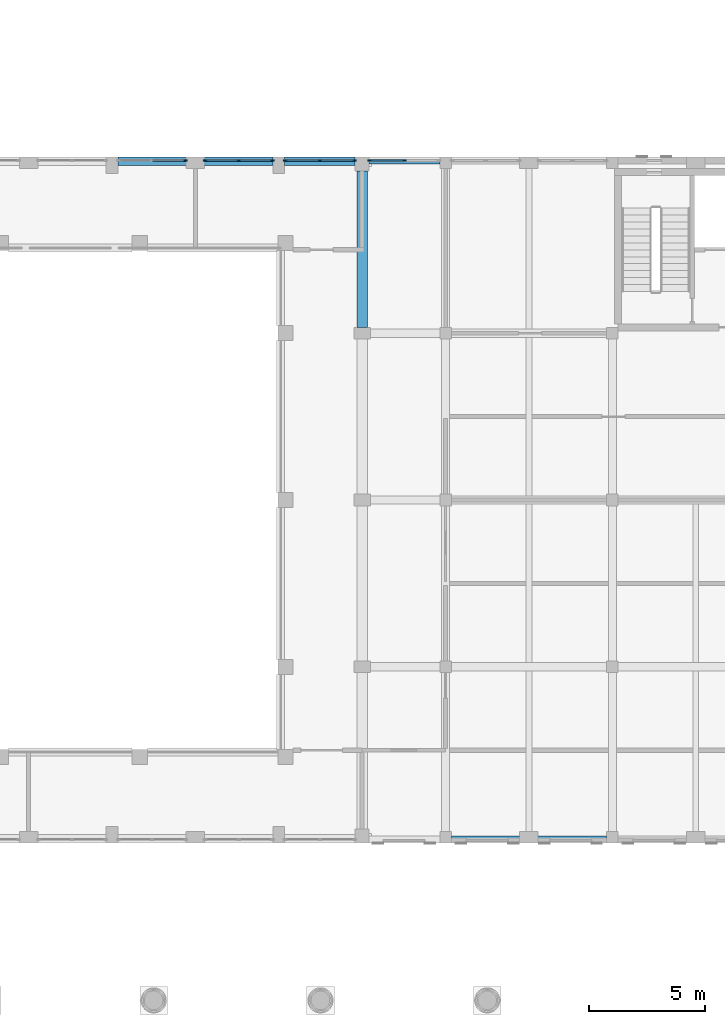
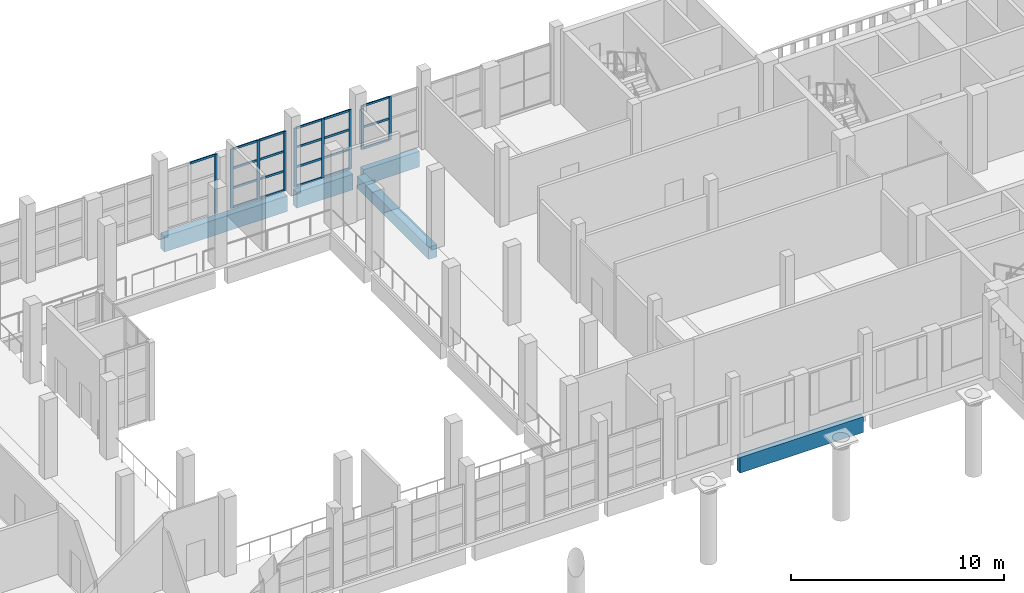
# One storey, part 9 of 59: 29 members, 5 beams, 4 elements without a shape of their own.
"""IFC4 building model written with IfcOpenShell, lengths in metres."""

from ifc_helpers import new_model, si_unit, direction, frame, origin, origin_2d, place, context, subcontext, project, spatial, rectangle, extrude, material, layer, layer_set, material_profile, profile_set, type_object, element, aggregate, save


model = new_model("IFC4")

# Units and contexts
model_context = context("Model", 3, precision=1e-05, world=origin(), true_north=direction((0.0, 1.0)))
body_context = subcontext(model_context, "Body", "Model", "MODEL_VIEW")
ifc_project = project(units=[si_unit("LENGTHUNIT", "METRE"), si_unit("AREAUNIT", "SQUARE_METRE"), si_unit("VOLUMEUNIT", "CUBIC_METRE"), si_unit("PLANEANGLEUNIT", "RADIAN"), si_unit("MASSUNIT", "GRAM", prefix="KILO")], contexts=[model_context])

# Site, building, storey
site_placement = place(None, origin())
site = spatial("IfcSite", under=ifc_project, at=site_placement, CompositionType="ELEMENT")
building_placement = place(site_placement, origin())
building = spatial("IfcBuilding", under=site, at=building_placement, Name="Ussher Court Research Institute", CompositionType="ELEMENT")
storey_placement = place(building_placement, frame((0.0, 0.0, 5.39990234375)))
storey = spatial("IfcBuildingStorey", under=building, at=storey_placement, Name="L01", CompositionType="ELEMENT", Elevation=5.39990234375)

# Curtain wall, member
ifc_material_1 = material(Name="Bronze anodised aluminium with low-e glass", Category="aluminium")
ifc_layer_1 = layer(ifc_material_1, 0.1201171875)
ifc_layer_set_1 = layer_set([ifc_layer_1], Name="Bronze anodised aluminium with low-e glass")
curtain_wall_type_1 = type_object("IfcCurtainWallType", Name="Curtain wall atrium clear glazing", PredefinedType="NOTDEFINED", material=ifc_layer_set_1)
curtain_wall_1_placement = place(storey_placement, origin())
curtain_wall_1 = element("IfcCurtainWall", 1, at=curtain_wall_1_placement, inside=storey, type_object=curtain_wall_type_1, Name="Curtain wall CW2 L01", PredefinedType="NOTDEFINED")
ifc_material_2 = material(Name="Bronze anodised aluminium", Category="aluminium")
ifc_material_profile_1 = material_profile(ifc_material_2, rectangle(XDim=0.06005859375, YDim=0.159912109375, at=origin_2d()), Name="Mullion 60x160")
ifc_profile_set_1 = profile_set([ifc_material_profile_1], Name="Bronze anodised aluminium")
member_type_1 = type_object("IfcMemberType", Name="Mullion 60x160", PredefinedType="MULLION", material=ifc_profile_set_1)
member_1_placement = place(storey_placement, frame((56.570068359375, 40.25, 0.0), z_axis=(0.0, 0.0, 1.0), x_axis=(0.0, 1.0, 0.0)))
member_1 = element("IfcMember", 2, at=member_1_placement, type_object=member_type_1, Name="CW2 mullion 3", PredefinedType="MULLION", context=body_context, shape_type="SweptSolid", body=[
    extrude(rectangle(XDim=0.06005859375, YDim=0.159912109375, at=origin_2d()), origin(), (0.0, 0.0, 1.0), 3.400146484375),
])

# Curtain wall, members
curtain_wall_2_placement = place(storey_placement, origin())
curtain_wall_2 = element("IfcCurtainWall", 3, at=curtain_wall_2_placement, inside=storey, type_object=curtain_wall_type_1, Name="Curtain wall CW2 L01", PredefinedType="NOTDEFINED")
member_2_placement = place(storey_placement, frame((57.429931640625, 40.25, 0.0), z_axis=(0.0, 0.0, 1.0), x_axis=(0.0, 1.0, 0.0)))
member_2 = element("IfcMember", 4, at=member_2_placement, type_object=member_type_1, Name="CW2 mullion 1", PredefinedType="MULLION", context=body_context, shape_type="SweptSolid", body=[
    extrude(rectangle(XDim=0.06005859375, YDim=0.159912109375, at=origin_2d()), origin(), (0.0, 0.0, 1.0), 3.400146484375),
])
member_3_placement = place(storey_placement, frame((58.875, 40.25, 0.0), z_axis=(0.0, 0.0, 1.0), x_axis=(0.0, 1.0, 0.0)))
member_3 = element("IfcMember", 5, at=member_3_placement, type_object=member_type_1, Name="CW2 mullion 2", PredefinedType="MULLION", context=body_context, shape_type="SweptSolid", body=[
    extrude(rectangle(XDim=0.06005859375, YDim=0.159912109375, at=origin_2d()), origin(), (0.0, 0.0, 1.0), 3.400146484375),
])
member_4_placement = place(storey_placement, frame((60.320068359375, 40.25, 0.0), z_axis=(0.0, 0.0, 1.0), x_axis=(0.0, 1.0, 0.0)))
member_4 = element("IfcMember", 6, at=member_4_placement, type_object=member_type_1, Name="CW2 mullion 3", PredefinedType="MULLION", context=body_context, shape_type="SweptSolid", body=[
    extrude(rectangle(XDim=0.06005859375, YDim=0.159912109375, at=origin_2d()), origin(), (0.0, 0.0, 1.0), 3.400146484375),
])

curtain_wall_3_placement = place(storey_placement, origin())
curtain_wall_3 = element("IfcCurtainWall", 7, at=curtain_wall_3_placement, inside=storey, type_object=curtain_wall_type_1, Name="Curtain wall CW2 L01", PredefinedType="NOTDEFINED")
member_5_placement = place(storey_placement, frame((60.8798828125, 40.25, 0.0), z_axis=(0.0, 0.0, 1.0), x_axis=(0.0, 1.0, 0.0)))
member_5 = element("IfcMember", 8, at=member_5_placement, type_object=member_type_1, Name="CW2 mullion 1", PredefinedType="MULLION", context=body_context, shape_type="SweptSolid", body=[
    extrude(rectangle(XDim=0.06005859375, YDim=0.159912109375, at=origin_2d()), origin(), (0.0, 0.0, 1.0), 3.400146484375),
])
member_6_placement = place(storey_placement, frame((62.375, 40.25, 0.0), z_axis=(0.0, 0.0, 1.0), x_axis=(0.0, 1.0, 0.0)))
member_6 = element("IfcMember", 9, at=member_6_placement, type_object=member_type_1, Name="CW2 mullion 2", PredefinedType="MULLION", context=body_context, shape_type="SweptSolid", body=[
    extrude(rectangle(XDim=0.06005859375, YDim=0.159912109375, at=origin_2d()), origin(), (0.0, 0.0, 1.0), 3.400146484375),
])
member_7_placement = place(storey_placement, frame((63.8701171875, 40.25, 0.0), z_axis=(0.0, 0.0, 1.0), x_axis=(0.0, 1.0, 0.0)))
member_7 = element("IfcMember", 10, at=member_7_placement, type_object=member_type_1, Name="CW2 mullion 3", PredefinedType="MULLION", context=body_context, shape_type="SweptSolid", body=[
    extrude(rectangle(XDim=0.06005859375, YDim=0.159912109375, at=origin_2d()), origin(), (0.0, 0.0, 1.0), 3.400146484375),
])

ifc_material_3 = material(Name="Bronze anodised aluminium with insulated low-e glass", Category="aluminium")
ifc_layer_2 = layer(ifc_material_3, 0.1201171875)
ifc_layer_set_2 = layer_set([ifc_layer_2], Name="Bronze anodised aluminium with insulated low-e glass")
curtain_wall_type_2 = type_object("IfcCurtainWallType", Name="Curtain wall reading link court front", PredefinedType="NOTDEFINED", material=ifc_layer_set_2)
curtain_wall_4_placement = place(storey_placement, origin())
curtain_wall_4 = element("IfcCurtainWall", 11, at=curtain_wall_4_placement, inside=storey, type_object=curtain_wall_type_2, Name="Curtain wall CW7 L01", PredefinedType="NOTDEFINED")
member_8_placement = place(storey_placement, frame((64.530029296875, 40.25, 0.900146484375), z_axis=(0.0, 0.0, 1.0), x_axis=(0.0, 1.0, 0.0)))
member_8 = element("IfcMember", 12, at=member_8_placement, type_object=member_type_1, Name="CW7 mullion 1", PredefinedType="MULLION", context=body_context, shape_type="SweptSolid", body=[
    extrude(rectangle(XDim=0.06005859375, YDim=0.159912109375, at=origin_2d()), origin(), (0.0, 0.0, 1.0), 2.5),
])
member_9_placement = place(storey_placement, frame((66.02490234375, 40.25, 0.900146484375), z_axis=(0.0, 0.0, 1.0), x_axis=(0.0, 1.0, 0.0)))
member_9 = element("IfcMember", 13, at=member_9_placement, type_object=member_type_1, Name="CW7 mullion 2", PredefinedType="MULLION", context=body_context, shape_type="SweptSolid", body=[
    extrude(rectangle(XDim=0.06005859375, YDim=0.159912109375, at=origin_2d()), origin(), (0.0, 0.0, 1.0), 2.5),
])

# Beams
ifc_material_4 = material(Name="Concrete C35/45", Category="concrete")
ifc_material_profile_2 = material_profile(ifc_material_4, rectangle(XDim=0.300048828125, YDim=0.89990234375, at=origin_2d()), Name="RC 300x900")
ifc_profile_set_2 = profile_set([ifc_material_profile_2], Name="Concrete C35/45")
beam_type_1 = type_object("IfcBeamType", Name="RC 300x900 beam", PredefinedType="BEAM", material=ifc_profile_set_2)
beam_1_placement = place(storey_placement, frame((68.050048828125, 10.949951171875, -0.64990234375), z_axis=(1.0, 0.0, 0.0), x_axis=(0.0, 1.0, 0.0)))
element("IfcBeam", 14, at=beam_1_placement, inside=storey, type_object=beam_type_1, Name="SB2 V7 L01-04", PredefinedType="BEAM", context=body_context, shape_type="SweptSolid", body=[
    extrude(rectangle(XDim=0.300048828125, YDim=0.89990234375, at=origin_2d()), origin(), (0.0, 0.0, 1.0), 6.699951171875),
])
beam_2_placement = place(storey_placement, frame((64.5, 40.25, -0.64990234375), z_axis=(1.0, 0.0, 0.0), x_axis=(0.0, 1.0, 0.0)))
element("IfcBeam", 15, at=beam_2_placement, inside=storey, type_object=beam_type_1, Name="SB2 V7 L01-08", PredefinedType="BEAM", context=body_context, shape_type="SweptSolid", body=[
    extrude(rectangle(XDim=0.300048828125, YDim=0.89990234375, at=origin_2d()), origin(), (0.0, 0.0, 1.0), 3.050048828125),
])
ifc_material_5 = material(Name="Concrete C35/45", Category="concrete")
ifc_material_profile_3 = material_profile(ifc_material_5, rectangle(XDim=0.35009765625, YDim=0.89990234375, at=origin_2d()), Name="RC 350x900")
ifc_profile_set_3 = profile_set([ifc_material_profile_3], Name="Concrete C35/45")
beam_type_2 = type_object("IfcBeamType", Name="RC 350x900 beam", PredefinedType="BEAM", material=ifc_profile_set_3)
beam_3_placement = place(storey_placement, frame((53.64990234375, 40.22509765625, -0.64990234375), z_axis=(1.0, 0.0, 0.0), x_axis=(0.0, 1.0, 0.0)))
element("IfcBeam", 16, at=beam_3_placement, inside=storey, type_object=beam_type_2, Name="SB1 V2 L01-07", PredefinedType="BEAM", context=body_context, shape_type="SweptSolid", body=[
    extrude(rectangle(XDim=0.35009765625, YDim=0.89990234375, at=origin_2d()), origin(), (0.0, 0.0, 1.0), 6.7001953125),
])
beam_4_placement = place(storey_placement, frame((60.85009765625, 40.22509765625, -0.64990234375), z_axis=(1.0, 0.0, 0.0), x_axis=(0.0, 1.0, 0.0)))
element("IfcBeam", 17, at=beam_4_placement, inside=storey, type_object=beam_type_2, Name="SB1 V2 L01-08", PredefinedType="BEAM", context=body_context, shape_type="SweptSolid", body=[
    extrude(rectangle(XDim=0.35009765625, YDim=0.89990234375, at=origin_2d()), origin(), (0.0, 0.0, 1.0), 3.0498046875),
])
ifc_material_6 = material(Name="Concrete C35/45", Category="concrete")
ifc_material_profile_4 = material_profile(ifc_material_6, rectangle(XDim=0.449951171875, YDim=0.699951171875, at=origin_2d()), Name="RC 450x700")
ifc_profile_set_4 = profile_set([ifc_material_profile_4], Name="Concrete C35/45")
beam_type_3 = type_object("IfcBeamType", Name="RC 450x700 beam", PredefinedType="BEAM", material=ifc_profile_set_4)
beam_5_placement = place(storey_placement, frame((64.199951171875, 33.050048828125, -0.5498046875), z_axis=(0.0, 1.0, 0.0), x_axis=(-1.0, 0.0, 0.0)))
element("IfcBeam", 18, at=beam_5_placement, inside=storey, type_object=beam_type_3, Name="B10 V2 L01-08", PredefinedType="BEAM", context=body_context, shape_type="SweptSolid", body=[
    extrude(rectangle(XDim=0.449951171875, YDim=0.699951171875, at=origin_2d()), origin(), (0.0, 0.0, 1.0), 6.75),
])

# Member
ifc_material_7 = material(Name="Bronze anodised aluminium", Category="aluminium")
ifc_material_profile_5 = material_profile(ifc_material_7, rectangle(XDim=0.06005859375, YDim=0.1201171875, at=origin_2d()), Name="Transom 60x120")
ifc_profile_set_5 = profile_set([ifc_material_profile_5], Name="Bronze anodised aluminium")
member_type_2 = type_object("IfcMemberType", Name="Transom 60x120", PredefinedType="USERDEFINED", material=ifc_profile_set_5)
member_10_placement = place(storey_placement, frame((55.155029296875, 40.25, 3.3701171875), z_axis=(1.0, 0.0, 0.0), x_axis=(0.0, 1.0, 0.0)))
member_10 = element("IfcMember", 19, at=member_10_placement, type_object=member_type_2, Name="CW2 transom 2.4", ObjectType="TRANSOM", PredefinedType="USERDEFINED", context=body_context, shape_type="SweptSolid", body=[
    extrude(rectangle(XDim=0.06005859375, YDim=0.1201171875, at=origin_2d()), origin(), (0.0, 0.0, 1.0), 1.385009765625),
])

aggregate(curtain_wall_1, [member_1, member_10])

member_11_placement = place(storey_placement, frame((57.4599609375, 40.25, 0.030029296875), z_axis=(1.0, 0.0, 0.0), x_axis=(0.0, 1.0, 0.0)))
member_11 = element("IfcMember", 20, at=member_11_placement, type_object=member_type_2, Name="CW2 transom 1.1", ObjectType="TRANSOM", PredefinedType="USERDEFINED", context=body_context, shape_type="SweptSolid", body=[
    extrude(rectangle(XDim=0.06005859375, YDim=0.1201171875, at=origin_2d()), origin(), (0.0, 0.0, 1.0), 1.385009765625),
])

member_12_placement = place(storey_placement, frame((57.4599609375, 40.25, 1.13330078125), z_axis=(1.0, 0.0, 0.0), x_axis=(0.0, 1.0, 0.0)))
member_12 = element("IfcMember", 21, at=member_12_placement, type_object=member_type_2, Name="CW2 transom 1.2", ObjectType="TRANSOM", PredefinedType="USERDEFINED", context=body_context, shape_type="SweptSolid", body=[
    extrude(rectangle(XDim=0.06005859375, YDim=0.1201171875, at=origin_2d()), origin(), (0.0, 0.0, 1.0), 1.385009765625),
])

member_13_placement = place(storey_placement, frame((57.4599609375, 40.25, 2.266845703125), z_axis=(1.0, 0.0, 0.0), x_axis=(0.0, 1.0, 0.0)))
member_13 = element("IfcMember", 22, at=member_13_placement, type_object=member_type_2, Name="CW2 transom 1.3", ObjectType="TRANSOM", PredefinedType="USERDEFINED", context=body_context, shape_type="SweptSolid", body=[
    extrude(rectangle(XDim=0.06005859375, YDim=0.1201171875, at=origin_2d()), origin(), (0.0, 0.0, 1.0), 1.385009765625),
])

member_14_placement = place(storey_placement, frame((57.4599609375, 40.25, 3.3701171875), z_axis=(1.0, 0.0, 0.0), x_axis=(0.0, 1.0, 0.0)))
member_14 = element("IfcMember", 23, at=member_14_placement, type_object=member_type_2, Name="CW2 transom 1.4", ObjectType="TRANSOM", PredefinedType="USERDEFINED", context=body_context, shape_type="SweptSolid", body=[
    extrude(rectangle(XDim=0.06005859375, YDim=0.1201171875, at=origin_2d()), origin(), (0.0, 0.0, 1.0), 1.385009765625),
])

member_15_placement = place(storey_placement, frame((58.905029296875, 40.25, 0.030029296875), z_axis=(1.0, 0.0, 0.0), x_axis=(0.0, 1.0, 0.0)))
member_15 = element("IfcMember", 24, at=member_15_placement, type_object=member_type_2, Name="CW2 transom 2.1", ObjectType="TRANSOM", PredefinedType="USERDEFINED", context=body_context, shape_type="SweptSolid", body=[
    extrude(rectangle(XDim=0.06005859375, YDim=0.1201171875, at=origin_2d()), origin(), (0.0, 0.0, 1.0), 1.385009765625),
])

member_16_placement = place(storey_placement, frame((58.905029296875, 40.25, 1.13330078125), z_axis=(1.0, 0.0, 0.0), x_axis=(0.0, 1.0, 0.0)))
member_16 = element("IfcMember", 25, at=member_16_placement, type_object=member_type_2, Name="CW2 transom 2.2", ObjectType="TRANSOM", PredefinedType="USERDEFINED", context=body_context, shape_type="SweptSolid", body=[
    extrude(rectangle(XDim=0.06005859375, YDim=0.1201171875, at=origin_2d()), origin(), (0.0, 0.0, 1.0), 1.385009765625),
])

member_17_placement = place(storey_placement, frame((58.905029296875, 40.25, 2.266845703125), z_axis=(1.0, 0.0, 0.0), x_axis=(0.0, 1.0, 0.0)))
member_17 = element("IfcMember", 26, at=member_17_placement, type_object=member_type_2, Name="CW2 transom 2.3", ObjectType="TRANSOM", PredefinedType="USERDEFINED", context=body_context, shape_type="SweptSolid", body=[
    extrude(rectangle(XDim=0.06005859375, YDim=0.1201171875, at=origin_2d()), origin(), (0.0, 0.0, 1.0), 1.385009765625),
])

member_18_placement = place(storey_placement, frame((58.905029296875, 40.25, 3.3701171875), z_axis=(1.0, 0.0, 0.0), x_axis=(0.0, 1.0, 0.0)))
member_18 = element("IfcMember", 27, at=member_18_placement, type_object=member_type_2, Name="CW2 transom 2.4", ObjectType="TRANSOM", PredefinedType="USERDEFINED", context=body_context, shape_type="SweptSolid", body=[
    extrude(rectangle(XDim=0.06005859375, YDim=0.1201171875, at=origin_2d()), origin(), (0.0, 0.0, 1.0), 1.385009765625),
])

aggregate(curtain_wall_2, [member_2, member_3, member_4, member_11, member_12, member_13, member_14, member_15, member_16, member_17, member_18])

member_19_placement = place(storey_placement, frame((60.909912109375, 40.25, 0.030029296875), z_axis=(1.0, 0.0, 0.0), x_axis=(0.0, 1.0, 0.0)))
member_19 = element("IfcMember", 28, at=member_19_placement, type_object=member_type_2, Name="CW2 transom 1.1", ObjectType="TRANSOM", PredefinedType="USERDEFINED", context=body_context, shape_type="SweptSolid", body=[
    extrude(rectangle(XDim=0.06005859375, YDim=0.1201171875, at=origin_2d()), origin(), (0.0, 0.0, 1.0), 1.43505859375),
])

member_20_placement = place(storey_placement, frame((60.909912109375, 40.25, 1.13330078125), z_axis=(1.0, 0.0, 0.0), x_axis=(0.0, 1.0, 0.0)))
member_20 = element("IfcMember", 29, at=member_20_placement, type_object=member_type_2, Name="CW2 transom 1.2", ObjectType="TRANSOM", PredefinedType="USERDEFINED", context=body_context, shape_type="SweptSolid", body=[
    extrude(rectangle(XDim=0.06005859375, YDim=0.1201171875, at=origin_2d()), origin(), (0.0, 0.0, 1.0), 1.43505859375),
])

member_21_placement = place(storey_placement, frame((60.909912109375, 40.25, 2.266845703125), z_axis=(1.0, 0.0, 0.0), x_axis=(0.0, 1.0, 0.0)))
member_21 = element("IfcMember", 30, at=member_21_placement, type_object=member_type_2, Name="CW2 transom 1.3", ObjectType="TRANSOM", PredefinedType="USERDEFINED", context=body_context, shape_type="SweptSolid", body=[
    extrude(rectangle(XDim=0.06005859375, YDim=0.1201171875, at=origin_2d()), origin(), (0.0, 0.0, 1.0), 1.43505859375),
])

member_22_placement = place(storey_placement, frame((60.909912109375, 40.25, 3.3701171875), z_axis=(1.0, 0.0, 0.0), x_axis=(0.0, 1.0, 0.0)))
member_22 = element("IfcMember", 31, at=member_22_placement, type_object=member_type_2, Name="CW2 transom 1.4", ObjectType="TRANSOM", PredefinedType="USERDEFINED", context=body_context, shape_type="SweptSolid", body=[
    extrude(rectangle(XDim=0.06005859375, YDim=0.1201171875, at=origin_2d()), origin(), (0.0, 0.0, 1.0), 1.43505859375),
])

member_23_placement = place(storey_placement, frame((62.405029296875, 40.25, 0.030029296875), z_axis=(1.0, 0.0, 0.0), x_axis=(0.0, 1.0, 0.0)))
member_23 = element("IfcMember", 32, at=member_23_placement, type_object=member_type_2, Name="CW2 transom 2.1", ObjectType="TRANSOM", PredefinedType="USERDEFINED", context=body_context, shape_type="SweptSolid", body=[
    extrude(rectangle(XDim=0.06005859375, YDim=0.1201171875, at=origin_2d()), origin(), (0.0, 0.0, 1.0), 1.43505859375),
])

member_24_placement = place(storey_placement, frame((62.405029296875, 40.25, 1.13330078125), z_axis=(1.0, 0.0, 0.0), x_axis=(0.0, 1.0, 0.0)))
member_24 = element("IfcMember", 33, at=member_24_placement, type_object=member_type_2, Name="CW2 transom 2.2", ObjectType="TRANSOM", PredefinedType="USERDEFINED", context=body_context, shape_type="SweptSolid", body=[
    extrude(rectangle(XDim=0.06005859375, YDim=0.1201171875, at=origin_2d()), origin(), (0.0, 0.0, 1.0), 1.43505859375),
])

member_25_placement = place(storey_placement, frame((62.405029296875, 40.25, 2.266845703125), z_axis=(1.0, 0.0, 0.0), x_axis=(0.0, 1.0, 0.0)))
member_25 = element("IfcMember", 34, at=member_25_placement, type_object=member_type_2, Name="CW2 transom 2.3", ObjectType="TRANSOM", PredefinedType="USERDEFINED", context=body_context, shape_type="SweptSolid", body=[
    extrude(rectangle(XDim=0.06005859375, YDim=0.1201171875, at=origin_2d()), origin(), (0.0, 0.0, 1.0), 1.43505859375),
])

member_26_placement = place(storey_placement, frame((62.405029296875, 40.25, 3.3701171875), z_axis=(1.0, 0.0, 0.0), x_axis=(0.0, 1.0, 0.0)))
member_26 = element("IfcMember", 35, at=member_26_placement, type_object=member_type_2, Name="CW2 transom 2.4", ObjectType="TRANSOM", PredefinedType="USERDEFINED", context=body_context, shape_type="SweptSolid", body=[
    extrude(rectangle(XDim=0.06005859375, YDim=0.1201171875, at=origin_2d()), origin(), (0.0, 0.0, 1.0), 1.43505859375),
])

aggregate(curtain_wall_3, [member_5, member_6, member_7, member_19, member_20, member_21, member_22, member_23, member_24, member_25, member_26])

member_27_placement = place(storey_placement, frame((64.56005859375, 40.25, 0.93017578125), z_axis=(1.0, 0.0, 0.0), x_axis=(0.0, 1.0, 0.0)))
member_27 = element("IfcMember", 36, at=member_27_placement, type_object=member_type_2, Name="CW7 transom 1.1", ObjectType="TRANSOM", PredefinedType="USERDEFINED", context=body_context, shape_type="SweptSolid", body=[
    extrude(rectangle(XDim=0.06005859375, YDim=0.1201171875, at=origin_2d()), origin(), (0.0, 0.0, 1.0), 1.43505859375),
])

member_28_placement = place(storey_placement, frame((64.56005859375, 40.25, 2.150146484375), z_axis=(1.0, 0.0, 0.0), x_axis=(0.0, 1.0, 0.0)))
member_28 = element("IfcMember", 37, at=member_28_placement, type_object=member_type_2, Name="CW7 transom 1.2", ObjectType="TRANSOM", PredefinedType="USERDEFINED", context=body_context, shape_type="SweptSolid", body=[
    extrude(rectangle(XDim=0.06005859375, YDim=0.1201171875, at=origin_2d()), origin(), (0.0, 0.0, 1.0), 1.43505859375),
])

member_29_placement = place(storey_placement, frame((64.56005859375, 40.25, 3.3701171875), z_axis=(1.0, 0.0, 0.0), x_axis=(0.0, 1.0, 0.0)))
member_29 = element("IfcMember", 38, at=member_29_placement, type_object=member_type_2, Name="CW7 transom 1.3", ObjectType="TRANSOM", PredefinedType="USERDEFINED", context=body_context, shape_type="SweptSolid", body=[
    extrude(rectangle(XDim=0.06005859375, YDim=0.1201171875, at=origin_2d()), origin(), (0.0, 0.0, 1.0), 1.43505859375),
])

aggregate(curtain_wall_4, [member_8, member_9, member_27, member_28, member_29])

save(model, "model.ifc")
